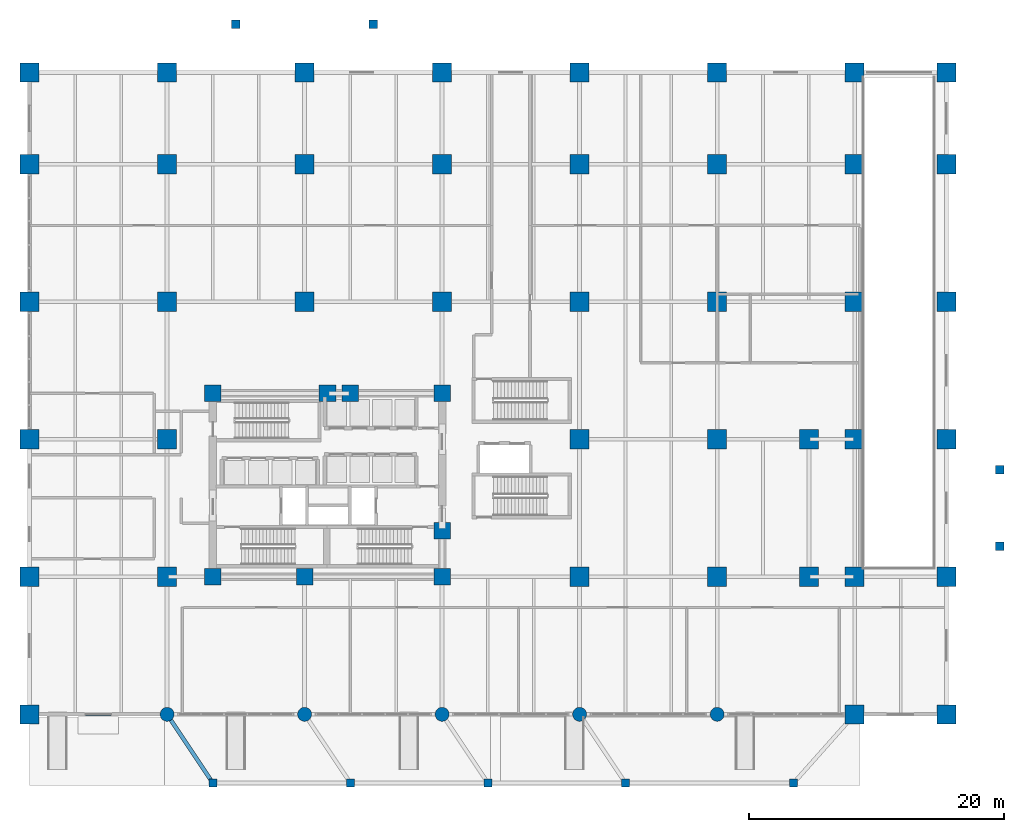
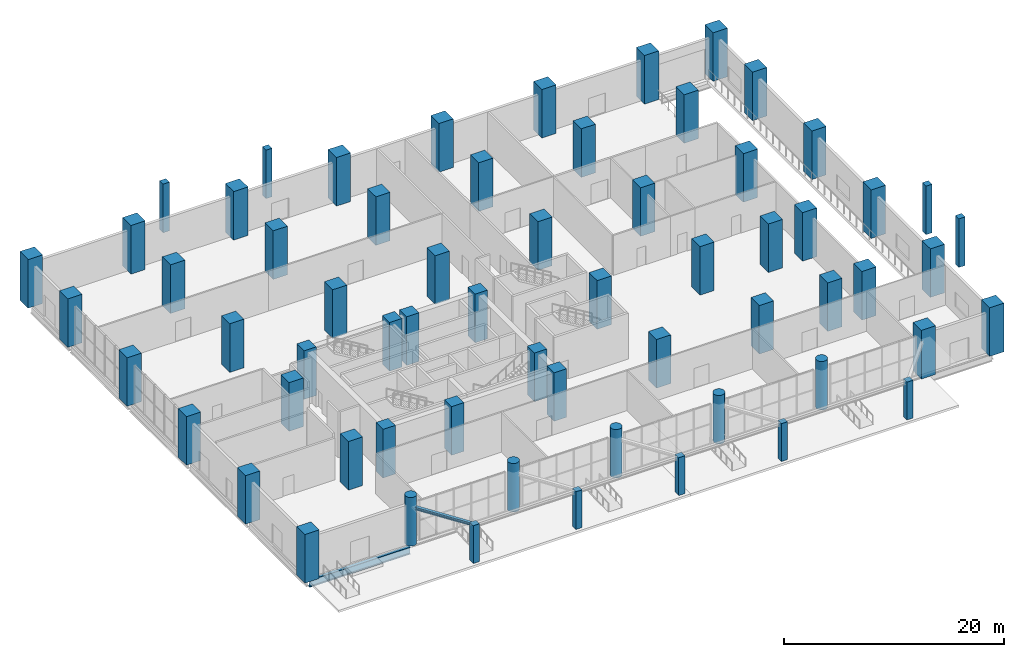
# One storey, part 1 of 22: 63 columns, 2 beams.
"""IFC4 building model written with IfcOpenShell, lengths in metres."""

import ifcopenshell
import ifcopenshell.guid

model = None  # the IFC model being written
_history = None  # IfcOwnerHistory: only IFC2X3 demands one
_inside = {}  # id of a spatial element -> (the spatial element, [elements in it])
_under = {}  # id of a project, library or spatial element -> (it, [spatial elements below it])
_declared = {}  # id of a project -> (the project, [libraries it declares])
_typed = {}  # id of a type object -> (the type object, [elements of that type])
_made_of = {}  # id of a material, layer set ... -> (it, [elements and type objects made of it])


def new_model(schema):
    """Start an empty IFC model of exactly this schema.

    Asked for "IFC4X3", IfcOpenShell would pick the latest addendum, in which some entities
    have other attributes; the version numbers below select the first issue.
    IFC2X3 requires an IfcOwnerHistory on every rooted entity: one is made here for all.
    """
    global model, _history
    if schema == "IFC4X3":
        model = ifcopenshell.file(schema_version=(4, 3, 0, 0))
    else:
        model = ifcopenshell.file(schema=schema)
    _inside.clear()
    _under.clear()
    _declared.clear()
    _typed.clear()
    _made_of.clear()
    _history = None
    if model.schema == "IFC2X3":
        org = make("IfcOrganization", Name="unknown")
        user = make(
            "IfcPersonAndOrganization",
            ThePerson=make("IfcPerson", FamilyName="unknown"),
            TheOrganization=org,
        )
        app = make(
            "IfcApplication",
            ApplicationDeveloper=org,
            Version="unknown",
            ApplicationFullName="unknown",
            ApplicationIdentifier="unknown",
        )
        _history = make(
            "IfcOwnerHistory",
            OwningUser=user,
            OwningApplication=app,
            ChangeAction="ADDED",
            CreationDate=0,
        )
    return model


def make(cls, **values):
    """One entity of the class cls with the attributes given. An attribute that is None is left unset."""
    return model.create_entity(
        cls, **{name: value for name, value in values.items() if value is not None}
    )


def rooted(cls, **values):
    """An entity with a GlobalId (a new one), such as an element, a storey or a relation."""
    return make(cls, GlobalId=ifcopenshell.guid.new(), OwnerHistory=_history, **values)


def si_unit(unit_type, name, prefix=None):
    """IfcSIUnit, for example si_unit("LENGTHUNIT", "METRE", prefix="MILLI")."""
    return make("IfcSIUnit", UnitType=unit_type, Prefix=prefix, Name=name)


def assignment(units):
    """IfcUnitAssignment: the units of a project."""
    return None if units is None else make("IfcUnitAssignment", Units=units)


def point(xyz):
    """IfcCartesianPoint."""
    return None if xyz is None else make("IfcCartesianPoint", Coordinates=xyz)


def direction(xyz):
    """IfcDirection."""
    return None if xyz is None else make("IfcDirection", DirectionRatios=xyz)


def frame(location, z_axis=None, x_axis=None):
    """IfcAxis2Placement3D, a coordinate frame: its origin and axes. An axis left out is left unset."""
    return make(
        "IfcAxis2Placement3D",
        Location=point(location),
        Axis=direction(z_axis),
        RefDirection=direction(x_axis),
    )


def frame_2d(location, x_axis=None):
    """IfcAxis2Placement2D, a coordinate frame in the plane: its origin and x axis."""
    return make(
        "IfcAxis2Placement2D", Location=point(location), RefDirection=direction(x_axis)
    )


def origin():
    """The frame at (0, 0, 0) with its axes left unset."""
    return frame((0.0, 0.0, 0.0))


def origin_2d():
    """The frame at (0, 0) in the plane with its x axis left unset."""
    return frame_2d((0.0, 0.0))


def place(relative_to, where):
    """IfcLocalPlacement: puts the frame where relative to a parent placement (None: the world)."""
    return make(
        "IfcLocalPlacement", PlacementRelTo=relative_to, RelativePlacement=where
    )


def context(
    kind, dimensions, precision=None, world=None, true_north=None, identifier=None
):
    """IfcGeometricRepresentationContext, for example the 3D "Model" context."""
    return make(
        "IfcGeometricRepresentationContext",
        ContextIdentifier=identifier,
        ContextType=kind,
        CoordinateSpaceDimension=dimensions,
        Precision=precision,
        WorldCoordinateSystem=world,
        TrueNorth=true_north,
    )


def subcontext(parent, identifier, kind, view, scale=None):
    """IfcGeometricRepresentationSubContext, for example "Body" below "Model"."""
    return make(
        "IfcGeometricRepresentationSubContext",
        ContextIdentifier=identifier,
        ContextType=kind,
        ParentContext=parent,
        TargetScale=scale,
        TargetView=view,
    )


def project(units=None, contexts=None):
    """IfcProject with its units and contexts."""
    return rooted(
        "IfcProject",
        Name="project",
        RepresentationContexts=contexts,
        UnitsInContext=assignment(units),
    )


def spatial(cls, under=None, at=None, **own):
    """A site, building, storey or space (cls), placed at a placement, below another one or the project."""
    s = rooted(cls, ObjectPlacement=at, **own)
    if under is not None:
        _under.setdefault(under.id(), (under, []))[1].append(s)
    return s


def profile(cls, at=None, kind="AREA", **sizes):
    """A parametric profile (cls). Its sizes go by their IFC names, for example OverallWidth=200.0."""
    return make(cls, ProfileType=kind, Position=at, **sizes)


def rectangle(**sizes):
    """IfcRectangleProfileDef."""
    return profile("IfcRectangleProfileDef", **sizes)


def circle(**sizes):
    """IfcCircleProfileDef."""
    return profile("IfcCircleProfileDef", **sizes)


def i_section(**sizes):
    """IfcIShapeProfileDef."""
    return profile("IfcIShapeProfileDef", **sizes)


def extrude(swept, where, along, depth):
    """IfcExtrudedAreaSolid: the profile swept, set in the frame where, extruded along a direction by depth."""
    return make(
        "IfcExtrudedAreaSolid",
        SweptArea=swept,
        Position=where,
        ExtrudedDirection=direction(along),
        Depth=depth,
    )


def shape(context_of_items, identifier, shape_type, items):
    """IfcShapeRepresentation: the items that make up one representation, for example the "Body"."""
    return make(
        "IfcShapeRepresentation",
        ContextOfItems=context_of_items,
        RepresentationIdentifier=identifier,
        RepresentationType=shape_type,
        Items=items,
    )


def material(Name=None, Category=None):
    """IfcMaterial."""
    return make("IfcMaterial", Name=Name, Category=Category)


def material_profile(
    of_material, cross_section, Name=None, Category=None, Priority=None
):
    """IfcMaterialProfile: a cross section and its material."""
    return make(
        "IfcMaterialProfile",
        Name=Name,
        Material=of_material,
        Profile=cross_section,
        Priority=Priority,
        Category=Category,
    )


def profile_set(profiles, Name=None, composite=None):
    """IfcMaterialProfileSet."""
    return make(
        "IfcMaterialProfileSet",
        Name=Name,
        MaterialProfiles=profiles,
        CompositeProfile=composite,
    )


def made_of(thing, what):
    """Note that an element or type object is made of a material, layer set ...; save() writes the relation."""
    if what is not None:
        _made_of.setdefault(what.id(), (what, []))[1].append(thing)
    return thing


def type_object(cls, material=None, **own):
    """A type object (cls), such as IfcWallType, which elements share."""
    return made_of(rooted(cls, **own), material)


def element(
    cls,
    number,
    at=None,
    inside=None,
    cuts=None,
    type_object=None,
    material=None,
    context=None,
    identifier="Body",
    shape_type=None,
    held_by="IfcProductDefinitionShape",
    body=None,
    shapes=None,
    **own,
):
    """One element of the class cls, such as IfcWall. Its Tag is "e" and its number.

    at: its placement. inside: the storey or other place that contains it. cuts: it is an
    opening in that element (IfcRelVoidsElement). A single representation is given by context,
    identifier, shape_type and body (its items); several are given by shapes. held_by: the class
    of the entity that holds the representations. save() writes the other relations.
    """
    e = rooted(cls, Tag="e%d" % number, ObjectPlacement=at, **own)
    if body is not None:
        shapes = [shape(context, identifier, shape_type, body)]
    if shapes is not None:
        e.Representation = make(held_by, Representations=shapes)
    if inside is not None:
        _inside.setdefault(inside.id(), (inside, []))[1].append(e)
    if cuts is not None:
        rooted(
            "IfcRelVoidsElement", RelatingBuildingElement=cuts, RelatedOpeningElement=e
        )
    if type_object is not None:
        _typed.setdefault(type_object.id(), (type_object, []))[1].append(e)
    return made_of(e, material)


def aggregate(whole, parts):
    """IfcRelAggregates: a whole, such as a stair, and the parts it consists of."""
    return rooted("IfcRelAggregates", RelatingObject=whole, RelatedObjects=parts)


def save(model, path):
    """Write the relations noted so far, then the file.

    IfcRelAggregates (storeys below a building ...), IfcRelContainedInSpatialStructure (elements
    in a storey), IfcRelDefinesByType, IfcRelAssociatesMaterial and IfcRelDeclares: one each for
    every whole, place, type object, material and project.
    """
    for whole, parts in _under.values():
        aggregate(whole, parts)
    for where, things in _inside.values():
        rooted(
            "IfcRelContainedInSpatialStructure",
            RelatedElements=things,
            RelatingStructure=where,
        )
    for kind, things in _typed.values():
        rooted("IfcRelDefinesByType", RelatedObjects=things, RelatingType=kind)
    for what, things in _made_of.values():
        rooted("IfcRelAssociatesMaterial", RelatedObjects=things, RelatingMaterial=what)
    for by, libraries in _declared.values():
        rooted("IfcRelDeclares", RelatingContext=by, RelatedDefinitions=libraries)
    model.write(path)


model = new_model("IFC4")

# Units and contexts
model_context = context("Model", 3, precision=1e-05, world=origin(), true_north=direction((0.0, 1.0)))
body_context = subcontext(model_context, "Body", "Model", "MODEL_VIEW")
ifc_project = project(units=[si_unit("LENGTHUNIT", "METRE"), si_unit("AREAUNIT", "SQUARE_METRE"), si_unit("VOLUMEUNIT", "CUBIC_METRE"), si_unit("PLANEANGLEUNIT", "RADIAN"), si_unit("MASSUNIT", "GRAM", prefix="KILO")], contexts=[model_context])

# Site, building, storey
site_placement = place(None, origin())
site = spatial("IfcSite", under=ifc_project, at=site_placement, CompositionType="ELEMENT")
building_placement = place(site_placement, origin())
building = spatial("IfcBuilding", under=site, at=building_placement, Name="Solnavia Interchange Tower", CompositionType="ELEMENT")
storey_placement = place(building_placement, origin())
storey = spatial("IfcBuildingStorey", under=building, at=storey_placement, Name="L00", CompositionType="ELEMENT", Elevation=0.0)

# Columns
ifc_material_1 = material(Name="Concrete C60/75", Category="concrete")
ifc_material_profile_1 = material_profile(ifc_material_1, rectangle(XDim=1.300048828125, YDim=1.300048828125, at=origin_2d()), Name="RC 1300x1300")
ifc_profile_set_1 = profile_set([ifc_material_profile_1], Name="Concrete C60/75")
column_type_1 = type_object("IfcColumnType", Name="Col-RC-1300x1300", PredefinedType="COLUMN", material=ifc_profile_set_1)
for number, where, z_axis, x_axis, name in (
    (1, (14.39990234375, 10.800048828125, 0.0), (0.0, 0.0, 1.0), (1.0, 0.0, 0.0), "COL-L00-P13 Podium core column"),
    (2, (14.39990234375, 25.199951171875, 0.0), (0.0, 0.0, 1.0), (1.0, 0.0, 0.0), "COL-L00-P14 Podium core column"),
    (3, (21.60009765625, 10.800048828125, 0.0), (0.0, 0.0, 1.0), (1.0, 0.0, 0.0), "COL-L00-P16 Podium core column"),
    (4, (23.39990234375, 25.199951171875, 0.0), (0.0, 0.0, 1.0), (1.0, 0.0, 0.0), "COL-L00-P20 Podium core column"),
    (5, (25.199951171875, 25.199951171875, 0.0), (0.0, 0.0, 1.0), (1.0, 0.0, 0.0), "COL-L00-P21 Podium core column"),
    (6, (32.39990234375, 10.800048828125, 0.0), (0.0, 0.0, 1.0), (1.0, 0.0, 0.0), "COL-L00-P23 Podium core column"),
    (7, (32.39990234375, 14.39990234375, 0.0), (0.0, 0.0, 1.0), (1.0, 0.0, 0.0), "COL-L00-P24 Podium core column"),
    (8, (32.39990234375, 25.199951171875, 0.0), (0.0, 0.0, 1.0), (1.0, 0.0, 0.0), "COL-L00-P25 Podium core column"),
):
    element("IfcColumn", number, at=place(storey_placement, frame(where, z_axis=z_axis, x_axis=x_axis)), inside=storey, type_object=column_type_1, Name=name, PredefinedType="COLUMN", context=body_context, shape_type="SweptSolid", body=[
        extrude(rectangle(XDim=1.300048828125, YDim=1.300048828125, at=origin_2d()), origin(), (0.0, 0.0, 1.0), 5.39990234375),
    ])
ifc_material_profile_2 = material_profile(ifc_material_1, rectangle(XDim=1.5, YDim=1.5, at=origin_2d()), Name="RC 1500x1500")
ifc_profile_set_2 = profile_set([ifc_material_profile_2], Name="Concrete C60/75")
column_type_2 = type_object("IfcColumnType", Name="Col-RC-1500x1500", PredefinedType="COLUMN", material=ifc_profile_set_2)
for number, where, z_axis, x_axis, name in (
    (9, (0.0, 0.0, 0.0), (0.0, 0.0, 1.0), (1.0, 0.0, 0.0), "COL-L00-P01 Podium concourse column"),
    (10, (0.0, 10.800048828125, 0.0), (0.0, 0.0, 1.0), (1.0, 0.0, 0.0), "COL-L00-P02 Podium concourse column"),
    (11, (0.0, 21.60009765625, 0.0), (0.0, 0.0, 1.0), (1.0, 0.0, 0.0), "COL-L00-P03 Podium concourse column"),
    (12, (0.0, 32.39990234375, 0.0), (0.0, 0.0, 1.0), (1.0, 0.0, 0.0), "COL-L00-P04 Podium concourse column"),
    (13, (0.0, 43.199951171875, 0.0), (0.0, 0.0, 1.0), (1.0, 0.0, 0.0), "COL-L00-P05 Podium concourse column"),
    (14, (0.0, 50.39990234375, 0.0), (0.0, 0.0, 1.0), (1.0, 0.0, 0.0), "COL-L00-P06 Podium concourse column"),
    (15, (10.800048828125, 10.800048828125, 0.0), (0.0, 0.0, 1.0), (1.0, 0.0, 0.0), "COL-L00-P08 Podium concourse column"),
    (16, (10.800048828125, 21.60009765625, 0.0), (0.0, 0.0, 1.0), (1.0, 0.0, 0.0), "COL-L00-P09 Podium concourse column"),
    (17, (10.800048828125, 32.39990234375, 0.0), (0.0, 0.0, 1.0), (1.0, 0.0, 0.0), "COL-L00-P10 Podium concourse column"),
    (18, (10.800048828125, 43.199951171875, 0.0), (0.0, 0.0, 1.0), (1.0, 0.0, 0.0), "COL-L00-P11 Podium concourse column"),
    (19, (10.800048828125, 50.39990234375, 0.0), (0.0, 0.0, 1.0), (1.0, 0.0, 0.0), "COL-L00-P12 Podium concourse column"),
    (20, (21.60009765625, 32.39990234375, 0.0), (0.0, 0.0, 1.0), (1.0, 0.0, 0.0), "COL-L00-P17 Podium concourse column"),
    (21, (21.60009765625, 43.199951171875, 0.0), (0.0, 0.0, 1.0), (1.0, 0.0, 0.0), "COL-L00-P18 Podium concourse column"),
    (22, (21.60009765625, 50.39990234375, 0.0), (0.0, 0.0, 1.0), (1.0, 0.0, 0.0), "COL-L00-P19 Podium concourse column"),
    (23, (32.39990234375, 32.39990234375, 0.0), (0.0, 0.0, 1.0), (1.0, 0.0, 0.0), "COL-L00-P26 Podium concourse column"),
    (24, (32.39990234375, 43.199951171875, 0.0), (0.0, 0.0, 1.0), (1.0, 0.0, 0.0), "COL-L00-P27 Podium concourse column"),
    (25, (32.39990234375, 50.39990234375, 0.0), (0.0, 0.0, 1.0), (1.0, 0.0, 0.0), "COL-L00-P28 Podium concourse column"),
    (26, (43.199951171875, 10.800048828125, 0.0), (0.0, 0.0, 1.0), (1.0, 0.0, 0.0), "COL-L00-P30 Podium concourse column"),
    (27, (43.199951171875, 21.60009765625, 0.0), (0.0, 0.0, 1.0), (1.0, 0.0, 0.0), "COL-L00-P31 Podium concourse column"),
    (28, (43.199951171875, 32.39990234375, 0.0), (0.0, 0.0, 1.0), (1.0, 0.0, 0.0), "COL-L00-P32 Podium concourse column"),
    (29, (43.199951171875, 43.199951171875, 0.0), (0.0, 0.0, 1.0), (1.0, 0.0, 0.0), "COL-L00-P33 Podium concourse column"),
    (30, (43.199951171875, 50.39990234375, 0.0), (0.0, 0.0, 1.0), (1.0, 0.0, 0.0), "COL-L00-P34 Podium concourse column"),
    (31, (54.0, 10.800048828125, 0.0), (0.0, 0.0, 1.0), (1.0, 0.0, 0.0), "COL-L00-P36 Podium concourse column"),
    (32, (54.0, 21.60009765625, 0.0), (0.0, 0.0, 1.0), (1.0, 0.0, 0.0), "COL-L00-P37 Podium concourse column"),
    (33, (54.0, 32.39990234375, 0.0), (0.0, 0.0, 1.0), (1.0, 0.0, 0.0), "COL-L00-P38 Podium concourse column"),
    (34, (54.0, 43.199951171875, 0.0), (0.0, 0.0, 1.0), (1.0, 0.0, 0.0), "COL-L00-P39 Podium concourse column"),
    (35, (54.0, 50.39990234375, 0.0), (0.0, 0.0, 1.0), (1.0, 0.0, 0.0), "COL-L00-P40 Podium concourse column"),
    (36, (61.199951171875, 10.800048828125, 0.0), (0.0, 0.0, 1.0), (1.0, 0.0, 0.0), "COL-L00-P41 Podium concourse column"),
    (37, (61.199951171875, 21.60009765625, 0.0), (0.0, 0.0, 1.0), (1.0, 0.0, 0.0), "COL-L00-P42 Podium concourse column"),
    (38, (64.800048828125, 0.0, 0.0), (0.0, 0.0, 1.0), (1.0, 0.0, 0.0), "COL-L00-P43 Podium concourse column"),
    (39, (64.800048828125, 10.800048828125, 0.0), (0.0, 0.0, 1.0), (1.0, 0.0, 0.0), "COL-L00-P44 Podium concourse column"),
    (40, (64.800048828125, 21.60009765625, 0.0), (0.0, 0.0, 1.0), (1.0, 0.0, 0.0), "COL-L00-P45 Podium concourse column"),
    (41, (64.800048828125, 32.39990234375, 0.0), (0.0, 0.0, 1.0), (1.0, 0.0, 0.0), "COL-L00-P46 Podium concourse column"),
    (42, (64.800048828125, 43.199951171875, 0.0), (0.0, 0.0, 1.0), (1.0, 0.0, 0.0), "COL-L00-P47 Podium concourse column"),
    (43, (64.800048828125, 50.39990234375, 0.0), (0.0, 0.0, 1.0), (1.0, 0.0, 0.0), "COL-L00-P48 Podium concourse column"),
    (44, (72.0, 0.0, 0.0), (0.0, 0.0, 1.0), (1.0, 0.0, 0.0), "COL-L00-P49 Podium concourse column"),
    (45, (72.0, 10.800048828125, 0.0), (0.0, 0.0, 1.0), (1.0, 0.0, 0.0), "COL-L00-P50 Podium concourse column"),
    (46, (72.0, 21.60009765625, 0.0), (0.0, 0.0, 1.0), (1.0, 0.0, 0.0), "COL-L00-P51 Podium concourse column"),
    (47, (72.0, 32.39990234375, 0.0), (0.0, 0.0, 1.0), (1.0, 0.0, 0.0), "COL-L00-P52 Podium concourse column"),
    (48, (72.0, 43.199951171875, 0.0), (0.0, 0.0, 1.0), (1.0, 0.0, 0.0), "COL-L00-P53 Podium concourse column"),
    (49, (72.0, 50.39990234375, 0.0), (0.0, 0.0, 1.0), (1.0, 0.0, 0.0), "COL-L00-P54 Podium concourse column"),
):
    element("IfcColumn", number, at=place(storey_placement, frame(where, z_axis=z_axis, x_axis=x_axis)), inside=storey, type_object=column_type_2, Name=name, PredefinedType="COLUMN", context=body_context, shape_type="SweptSolid", body=[
        extrude(rectangle(XDim=1.5, YDim=1.5, at=origin_2d()), origin(), (0.0, 0.0, 1.0), 5.39990234375),
    ])
ifc_material_2 = material(Name="Concrete C50/60", Category="concrete")
ifc_material_profile_3 = material_profile(ifc_material_2, rectangle(XDim=0.64990234375, YDim=0.64990234375, at=origin_2d()), Name="RC 650x650")
ifc_profile_set_3 = profile_set([ifc_material_profile_3], Name="Concrete C50/60")
column_type_3 = type_object("IfcColumnType", Name="Col-RC-650x650", PredefinedType="COLUMN", material=ifc_profile_set_3)
for number, where, z_axis, x_axis, name in (
    (50, (14.39990234375, -5.39990234375, 0.0), (0.0, 0.0, 1.0), (1.0, 0.0, 0.0), "COL-L00-C01 Waterfront canopy column"),
    (51, (25.199951171875, -5.39990234375, 0.0), (0.0, 0.0, 1.0), (1.0, 0.0, 0.0), "COL-L00-C02 Waterfront canopy column"),
    (52, (36.0, -5.39990234375, 0.0), (0.0, 0.0, 1.0), (1.0, 0.0, 0.0), "COL-L00-C03 Waterfront canopy column"),
    (53, (46.800048828125, -5.39990234375, 0.0), (0.0, 0.0, 1.0), (1.0, 0.0, 0.0), "COL-L00-C04 Waterfront canopy column"),
    (54, (60.0, -5.39990234375, 0.0), (0.0, 0.0, 1.0), (1.0, 0.0, 0.0), "COL-L00-C05 Waterfront canopy column"),
):
    element("IfcColumn", number, at=place(storey_placement, frame(where, z_axis=z_axis, x_axis=x_axis)), inside=storey, type_object=column_type_3, Name=name, PredefinedType="COLUMN", context=body_context, shape_type="SweptSolid", body=[
        extrude(rectangle(XDim=0.64990234375, YDim=0.64990234375, at=origin_2d()), origin(), (0.0, 0.0, 1.0), 4.199951171875),
    ])
for number, where, z_axis, x_axis, name in (
    (55, (16.199951171875, 54.199951171875, 0.0), (0.0, 0.0, 1.0), (1.0, 0.0, 0.0), "COL-L00-C06 Waterfront canopy column"),
    (56, (27.0, 54.199951171875, 0.0), (0.0, 0.0, 1.0), (1.0, 0.0, 0.0), "COL-L00-C07 Waterfront canopy column"),
    (57, (76.199951171875, 13.199951171875, 0.0), (0.0, 0.0, 1.0), (1.0, 0.0, 0.0), "COL-L00-C08 Waterfront canopy column"),
    (58, (76.199951171875, 19.199951171875, 0.0), (0.0, 0.0, 1.0), (1.0, 0.0, 0.0), "COL-L00-C09 Waterfront canopy column"),
):
    element("IfcColumn", number, at=place(storey_placement, frame(where, z_axis=z_axis, x_axis=x_axis)), inside=storey, type_object=column_type_3, Name=name, PredefinedType="COLUMN", context=body_context, shape_type="SweptSolid", body=[
        extrude(rectangle(XDim=0.64990234375, YDim=0.64990234375, at=origin_2d()), origin(), (0.0, 0.0, 1.0), 5.39990234375),
    ])
ifc_material_profile_4 = material_profile(ifc_material_1, circle(Radius=0.550048828125, at=origin_2d()), Name="RC D1100")
ifc_profile_set_4 = profile_set([ifc_material_profile_4], Name="Concrete C60/75")
column_type_4 = type_object("IfcColumnType", Name="Col-RC-D1100", PredefinedType="COLUMN", material=ifc_profile_set_4)
for number, where, z_axis, x_axis, name in (
    (59, (10.800048828125, 0.0, 0.0), (0.0, 0.0, 1.0), (1.0, 0.0, 0.0), "COL-L00-P07 Podium concourse column"),
    (60, (21.60009765625, 0.0, 0.0), (0.0, 0.0, 1.0), (1.0, 0.0, 0.0), "COL-L00-P15 Podium concourse column"),
    (61, (32.39990234375, 0.0, 0.0), (0.0, 0.0, 1.0), (1.0, 0.0, 0.0), "COL-L00-P22 Podium concourse column"),
    (62, (43.199951171875, 0.0, 0.0), (0.0, 0.0, 1.0), (1.0, 0.0, 0.0), "COL-L00-P29 Podium concourse column"),
    (63, (54.0, 0.0, 0.0), (0.0, 0.0, 1.0), (1.0, 0.0, 0.0), "COL-L00-P35 Podium concourse column"),
):
    element("IfcColumn", number, at=place(storey_placement, frame(where, z_axis=z_axis, x_axis=x_axis)), inside=storey, type_object=column_type_4, Name=name, PredefinedType="COLUMN", context=body_context, shape_type="SweptSolid", body=[
        extrude(circle(Radius=0.550048828125, at=origin_2d()), origin(), (0.0, 0.0, 1.0), 5.39990234375),
    ])

# Beams
ifc_material_3 = material(Name="Steel S460", Category="steel")
ifc_material_profile_5 = material_profile(ifc_material_3, i_section(OverallWidth=0.300048828125, OverallDepth=0.800048828125, WebThickness=0.017578125, FlangeThickness=0.032958984375, FilletRadius=0.030029296875, at=origin_2d()), Name="HEB 800")
ifc_profile_set_5 = profile_set([ifc_material_profile_5], Name="Steel S460")
beam_type_1 = type_object("IfcBeamType", Name="Beam-Girder-HEB800", PredefinedType="BEAM", material=ifc_profile_set_5)
beam_1_placement = place(storey_placement, frame((0.10009765625, 0.0, -0.75), z_axis=(1.0, 0.0, 0.0), x_axis=(0.0, 1.0, 0.0)))
element("IfcBeam", 64, at=beam_1_placement, inside=storey, type_object=beam_type_1, Name="GRD-L00-01 Podium primary girder", PredefinedType="BEAM", context=body_context, shape_type="SweptSolid", body=[
    extrude(i_section(OverallWidth=0.300048828125, OverallDepth=0.800048828125, WebThickness=0.017578125, FlangeThickness=0.032958984375, FilletRadius=0.030029296875, at=origin_2d()), origin(), (0.0, 0.0, 1.0), 10.599853515625),
])
ifc_material_4 = material(Name="Steel S355", Category="steel")
ifc_material_profile_6 = material_profile(ifc_material_4, i_section(OverallWidth=0.300048828125, OverallDepth=0.31005859375, WebThickness=0.009033203125, FlangeThickness=0.015380859375, FilletRadius=0.027099609375, at=origin_2d()), Name="HEA 320")
ifc_profile_set_6 = profile_set([ifc_material_profile_6], Name="Steel S355")
beam_type_2 = type_object("IfcBeamType", Name="Beam-Primary-HEA320", PredefinedType="BEAM", material=ifc_profile_set_6)
beam_2_placement = place(storey_placement, frame((14.344482421875, -5.31689453125, 4.044921875), z_axis=(-0.55469123911, 0.832056265678, 0.0), x_axis=(-0.832056265678, -0.55469123911, 0.0)))
element("IfcBeam", 65, at=beam_2_placement, inside=storey, type_object=beam_type_2, Name="GRD-L00-CANT1 Promenade canopy tie beam", PredefinedType="BEAM", context=body_context, shape_type="SweptSolid", body=[
    extrude(i_section(OverallWidth=0.300048828125, OverallDepth=0.31005859375, WebThickness=0.009033203125, FlangeThickness=0.015380859375, FilletRadius=0.027099609375, at=origin_2d()), origin(), (0.0, 0.0, 1.0), 6.2900390625),
])

save(model, "model.ifc")
